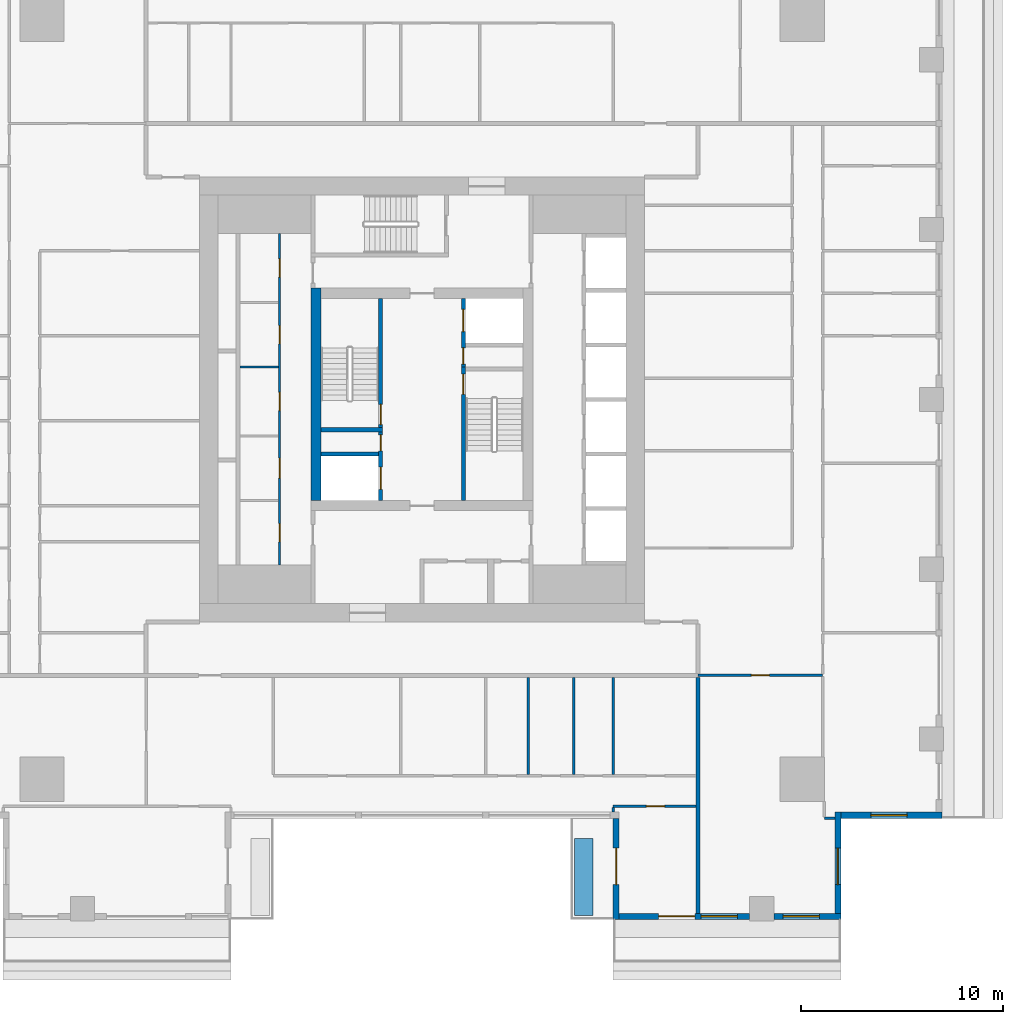
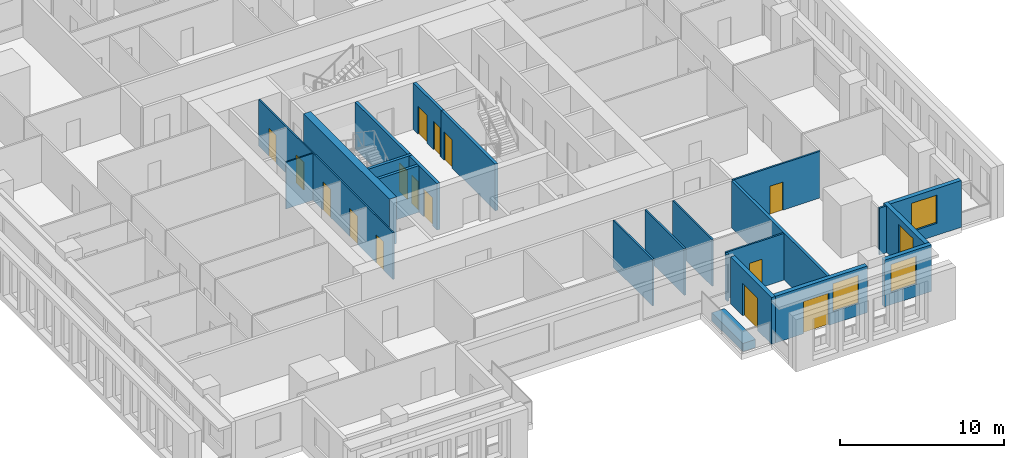
# One storey, part 4 of 14: 23 walls, 15 doors, 4 windows, 19 openings.
"""IFC4 building model written with IfcOpenShell, lengths in metres."""

from ifc_helpers import new_model, si_unit, direction, frame, frame_2d, origin, place, context, subcontext, project, spatial, rectangle, extrude, material, layer, layer_set, type_object, element, fill, save


model = new_model("IFC4")

# Units and contexts
model_context = context("Model", 3, precision=1e-05, world=origin(), true_north=direction((0.0, 1.0)))
body_context = subcontext(model_context, "Body", "Model", "MODEL_VIEW")
ifc_project = project(units=[si_unit("LENGTHUNIT", "METRE"), si_unit("AREAUNIT", "SQUARE_METRE"), si_unit("VOLUMEUNIT", "CUBIC_METRE"), si_unit("PLANEANGLEUNIT", "RADIAN"), si_unit("MASSUNIT", "GRAM", prefix="KILO")], contexts=[model_context])

# Site, building, storey
site_placement = place(None, origin())
site = spatial("IfcSite", under=ifc_project, at=site_placement, CompositionType="ELEMENT")
building_placement = place(site_placement, origin())
building = spatial("IfcBuilding", under=site, at=building_placement, Name="Khepri Terraces", CompositionType="ELEMENT")
storey_placement = place(building_placement, frame((0.0, 0.0, 264.0)))
storey = spatial("IfcBuildingStorey", under=building, at=storey_placement, Name="L63", CompositionType="ELEMENT", Elevation=264.0)

# Wall, opening, door
ifc_material_1 = material(Name="Concrete C40/50", Category="concrete")
ifc_layer_1 = layer(ifc_material_1, 0.199951171875, Name="Concrete C40/50", Category="concrete")
ifc_layer_set_1 = layer_set([ifc_layer_1], Name="Concrete C40/50")
wall_type_1 = type_object("IfcWallType", Name="Core wall 200 C40/50", PredefinedType="SHEAR", material=ifc_layer_set_1)
wall_1_placement = place(storey_placement, frame((2.050048828125, -5.0, 0.0), z_axis=(0.0, 0.0, 1.0), x_axis=(0.0, 1.0, 0.0)))
wall_1 = element("IfcWall", 1, at=wall_1_placement, inside=storey, type_object=wall_type_1, Name="Core wall ST01 L63", PredefinedType="SHEAR", context=body_context, shape_type="SweptSolid", body=[
    extrude(rectangle(XDim=6.60009765625, YDim=0.199951171875, at=frame_2d((3.300048828125, 0.0))), origin(), (0.0, 0.0, 1.0), 3.47998046875),
])
opening_1_placement = place(wall_1_placement, frame((5.25, 0.0, 0.0)))
opening_1 = element("IfcOpeningElement", 2, at=opening_1_placement, cuts=wall_1, Name="Opening L63-C10", PredefinedType="OPENING", context=body_context, shape_type="SweptSolid", body=[
    extrude(rectangle(XDim=1.0, YDim=2.10009765625, at=frame_2d((0.5, 1.050048828125))), frame((0.0, 0.10986328125, 0.0), z_axis=(0.0, -1.0, 0.0), x_axis=(1.0, 0.0, 0.0)), (0.0, 0.0, 1.0), 0.219970703125),
])
ifc_material_2 = material(Name="Painted steel", Category="steel")
door_type_1 = type_object("IfcDoorType", Name="DR-CORE-STAIR-1000", OperationType="NOTDEFINED", PredefinedType="DOOR", material=ifc_material_2)
door_1_placement = place(opening_1_placement, frame((1.0, 0.0, 0.0), z_axis=(0.0, 0.0, 1.0), x_axis=(-1.0, 0.0, 0.0)))
door_1 = element("IfcDoor", 3, at=door_1_placement, inside=storey, type_object=door_type_1, Name="Stair door L63-C10", OperationType="SINGLE_SWING_LEFT", OverallHeight=2.10009765625, OverallWidth=1.0, PredefinedType="DOOR", context=body_context, shape_type="SweptSolid", body=[
    extrude(rectangle(XDim=1.0, YDim=2.10009765625, at=frame_2d((0.5, 1.050048828125))), frame((0.0, 0.02490234375, 0.0), z_axis=(0.0, -1.0, 0.0), x_axis=(1.0, 0.0, 0.0)), (0.0, 0.0, 1.0), 0.050048828125),
])
fill(opening_1, door_1)

# Wall
wall_2_placement = place(storey_placement, frame((-5.0, -1.5, 0.0), z_axis=(0.0, 0.0, 1.0), x_axis=(1.0, 0.0, 0.0)))
element("IfcWall", 4, at=wall_2_placement, inside=storey, type_object=wall_type_1, Name="Core wall ST02 L63", PredefinedType="SHEAR", context=body_context, shape_type="SweptSolid", body=[
    extrude(rectangle(XDim=3.050048828125, YDim=0.199951171875, at=frame_2d((1.52490234375, 0.0))), origin(), (0.0, 0.0, 1.0), 3.47998046875),
])

# Wall, opening, door
wall_3_placement = place(storey_placement, frame((-2.050048828125, -1.39990234375, 0.0), z_axis=(0.0, 0.0, 1.0), x_axis=(0.0, 1.0, 0.0)))
wall_3 = element("IfcWall", 5, at=wall_3_placement, inside=storey, type_object=wall_type_1, Name="Core wall ST03 L63", PredefinedType="SHEAR", context=body_context, shape_type="SweptSolid", body=[
    extrude(rectangle(XDim=6.39990234375, YDim=0.199951171875, at=frame_2d((3.199951171875, 0.0))), origin(), (0.0, 0.0, 1.0), 3.47998046875),
])
opening_2_placement = place(wall_3_placement, frame((0.14990234375, 0.0, 0.0)))
opening_2 = element("IfcOpeningElement", 6, at=opening_2_placement, cuts=wall_3, Name="Opening L63-C09", PredefinedType="OPENING", context=body_context, shape_type="SweptSolid", body=[
    extrude(rectangle(XDim=1.0, YDim=2.10009765625, at=frame_2d((0.5, 1.050048828125))), frame((0.0, 0.10986328125, 0.0), z_axis=(0.0, -1.0, 0.0), x_axis=(1.0, 0.0, 0.0)), (0.0, 0.0, 1.0), 0.219970703125),
])
door_2_placement = place(opening_2_placement, origin())
door_2 = element("IfcDoor", 7, at=door_2_placement, inside=storey, type_object=door_type_1, Name="Stair door L63-C09", OperationType="SINGLE_SWING_LEFT", OverallHeight=2.10009765625, OverallWidth=1.0, PredefinedType="DOOR", context=body_context, shape_type="SweptSolid", body=[
    extrude(rectangle(XDim=1.0, YDim=2.10009765625, at=frame_2d((0.5, 1.050048828125))), frame((0.0, 0.02490234375, 0.0), z_axis=(0.0, -1.0, 0.0), x_axis=(1.0, 0.0, 0.0)), (0.0, 0.0, 1.0), 0.050048828125),
])
fill(opening_2, door_2)

# Wall, openings, doors
wall_4_placement = place(storey_placement, frame((-2.050048828125, -5.0, 0.0), z_axis=(0.0, 0.0, 1.0), x_axis=(0.0, 1.0, 0.0)))
wall_4 = element("IfcWall", 8, at=wall_4_placement, inside=storey, type_object=wall_type_1, Name="Core wall SH05 L63", PredefinedType="SHEAR", context=body_context, shape_type="SweptSolid", body=[
    extrude(rectangle(XDim=3.39990234375, YDim=0.199951171875, at=frame_2d((1.699951171875, 0.0))), origin(), (0.0, 0.0, 1.0), 3.47998046875),
])
opening_3_placement = place(wall_4_placement, frame((0.550048828125, 0.0, 0.0)))
opening_3 = element("IfcOpeningElement", 9, at=opening_3_placement, cuts=wall_4, Name="Opening L63-C08", PredefinedType="OPENING", context=body_context, shape_type="SweptSolid", body=[
    extrude(rectangle(XDim=1.10009765625, YDim=2.10009765625, at=frame_2d((0.550048828125, 1.050048828125))), frame((0.0, 0.10986328125, 0.0), z_axis=(0.0, -1.0, 0.0), x_axis=(1.0, 0.0, 0.0)), (0.0, 0.0, 1.0), 0.219970703125),
])
opening_4_placement = place(wall_4_placement, frame((2.449951171875, 0.0, 0.0)))
opening_4 = element("IfcOpeningElement", 10, at=opening_4_placement, cuts=wall_4, Name="Opening L63-C12", PredefinedType="OPENING", context=body_context, shape_type="SweptSolid", body=[
    extrude(rectangle(XDim=0.800048828125, YDim=2.10009765625, at=frame_2d((0.39990234375, 1.050048828125))), frame((0.0, 0.10986328125, 0.0), z_axis=(0.0, -1.0, 0.0), x_axis=(1.0, 0.0, 0.0)), (0.0, 0.0, 1.0), 0.219970703125),
])
ifc_material_3 = material(Name="Stainless steel 304", Category="steel")
door_type_2 = type_object("IfcDoorType", Name="DR-CORE-FF-LANDING-1100", OperationType="NOTDEFINED", PredefinedType="DOOR", material=ifc_material_3)
door_3_placement = place(opening_3_placement, origin())
door_3 = element("IfcDoor", 11, at=door_3_placement, inside=storey, type_object=door_type_2, Name="Firefighting lift landing door L63-C08", OperationType="SLIDING_TO_LEFT", OverallHeight=2.10009765625, OverallWidth=1.10009765625, PredefinedType="DOOR", context=body_context, shape_type="SweptSolid", body=[
    extrude(rectangle(XDim=1.10009765625, YDim=2.10009765625, at=frame_2d((0.550048828125, 1.050048828125))), frame((0.0, 0.02490234375, 0.0), z_axis=(0.0, -1.0, 0.0), x_axis=(1.0, 0.0, 0.0)), (0.0, 0.0, 1.0), 0.050048828125),
])
fill(opening_3, door_3)
door_type_3 = type_object("IfcDoorType", Name="DR-CORE-RISER-800", OperationType="NOTDEFINED", PredefinedType="DOOR", material=ifc_material_2)
door_4_placement = place(opening_4_placement, origin())
door_4 = element("IfcDoor", 12, at=door_4_placement, inside=storey, type_object=door_type_3, Name="Riser door L63-C12", OperationType="SINGLE_SWING_RIGHT", OverallHeight=2.10009765625, OverallWidth=0.800048828125, PredefinedType="DOOR", context=body_context, shape_type="SweptSolid", body=[
    extrude(rectangle(XDim=0.800048828125, YDim=2.10009765625, at=frame_2d((0.39990234375, 1.050048828125))), frame((0.0, 0.02490234375, 0.0), z_axis=(0.0, -1.0, 0.0), x_axis=(1.0, 0.0, 0.0)), (0.0, 0.0, 1.0), 0.050048828125),
])
fill(opening_4, door_4)

# Wall
wall_5_placement = place(storey_placement, frame((-5.0, -2.699951171875, 0.0), z_axis=(0.0, 0.0, 1.0), x_axis=(1.0, 0.0, 0.0)))
element("IfcWall", 13, at=wall_5_placement, inside=storey, type_object=wall_type_1, Name="Core wall SH07 L63", PredefinedType="SHEAR", context=body_context, shape_type="SweptSolid", body=[
    extrude(rectangle(XDim=2.85009765625, YDim=0.199951171875, at=frame_2d((1.425048828125, 0.0))), origin(), (0.0, 0.0, 1.0), 3.47998046875),
])

# Wall, openings, doors
wall_6_placement = place(storey_placement, frame((2.050048828125, 1.60009765625, 0.0), z_axis=(0.0, 0.0, 1.0), x_axis=(0.0, 1.0, 0.0)))
wall_6 = element("IfcWall", 14, at=wall_6_placement, inside=storey, type_object=wall_type_1, Name="Core wall SH10 L63", PredefinedType="SHEAR", context=body_context, shape_type="SweptSolid", body=[
    extrude(rectangle(XDim=3.39990234375, YDim=0.199951171875, at=frame_2d((1.699951171875, 0.0))), origin(), (0.0, 0.0, 1.0), 3.47998046875),
])
opening_5_placement = place(wall_6_placement, frame((1.75, 0.0, 0.0)))
opening_5 = element("IfcOpeningElement", 15, at=opening_5_placement, cuts=wall_6, Name="Opening L63-C07", PredefinedType="OPENING", context=body_context, shape_type="SweptSolid", body=[
    extrude(rectangle(XDim=1.10009765625, YDim=2.10009765625, at=frame_2d((0.550048828125, 1.050048828125))), frame((0.0, 0.10986328125, 0.0), z_axis=(0.0, -1.0, 0.0), x_axis=(1.0, 0.0, 0.0)), (0.0, 0.0, 1.0), 0.219970703125),
])
opening_6_placement = place(wall_6_placement, frame((0.14990234375, 0.0, 0.0)))
opening_6 = element("IfcOpeningElement", 16, at=opening_6_placement, cuts=wall_6, Name="Opening L63-C11", PredefinedType="OPENING", context=body_context, shape_type="SweptSolid", body=[
    extrude(rectangle(XDim=0.800048828125, YDim=2.10009765625, at=frame_2d((0.39990234375, 1.050048828125))), frame((0.0, 0.10986328125, 0.0), z_axis=(0.0, -1.0, 0.0), x_axis=(1.0, 0.0, 0.0)), (0.0, 0.0, 1.0), 0.219970703125),
])
door_5_placement = place(opening_5_placement, origin())
door_5 = element("IfcDoor", 17, at=door_5_placement, inside=storey, type_object=door_type_2, Name="Firefighting lift landing door L63-C07", OperationType="SLIDING_TO_LEFT", OverallHeight=2.10009765625, OverallWidth=1.10009765625, PredefinedType="DOOR", context=body_context, shape_type="SweptSolid", body=[
    extrude(rectangle(XDim=1.10009765625, YDim=2.10009765625, at=frame_2d((0.550048828125, 1.050048828125))), frame((0.0, 0.02490234375, 0.0), z_axis=(0.0, -1.0, 0.0), x_axis=(1.0, 0.0, 0.0)), (0.0, 0.0, 1.0), 0.050048828125),
])
fill(opening_5, door_5)
door_6_placement = place(opening_6_placement, frame((0.800048828125, 0.0, 0.0), z_axis=(0.0, 0.0, 1.0), x_axis=(-1.0, 0.0, 0.0)))
door_6 = element("IfcDoor", 18, at=door_6_placement, inside=storey, type_object=door_type_3, Name="Riser door L63-C11", OperationType="SINGLE_SWING_RIGHT", OverallHeight=2.10009765625, OverallWidth=0.800048828125, PredefinedType="DOOR", context=body_context, shape_type="SweptSolid", body=[
    extrude(rectangle(XDim=0.800048828125, YDim=2.10009765625, at=frame_2d((0.39990234375, 1.050048828125))), frame((0.0, 0.02490234375, 0.0), z_axis=(0.0, -1.0, 0.0), x_axis=(1.0, 0.0, 0.0)), (0.0, 0.0, 1.0), 0.050048828125),
])
fill(opening_6, door_6)

# Wall
ifc_layer_2 = layer(ifc_material_1, 0.5, Name="Concrete C40/50", Category="concrete")
ifc_layer_set_2 = layer_set([ifc_layer_2], Name="Concrete C40/50")
wall_type_2 = type_object("IfcWallType", Name="Core wall 500 C40/50", PredefinedType="SHEAR", material=ifc_layer_set_2)
wall_7_placement = place(storey_placement, frame((-5.25, -5.0, 0.0), z_axis=(0.0, 0.0, 1.0), x_axis=(0.0, 1.0, 0.0)))
element("IfcWall", 19, at=wall_7_placement, inside=storey, type_object=wall_type_2, Name="Core wall BX02 L63", PredefinedType="SHEAR", context=body_context, shape_type="SweptSolid", body=[
    extrude(rectangle(XDim=10.5, YDim=0.5, at=frame_2d((5.25, 0.0))), origin(), (0.0, 0.0, 1.0), 3.47998046875),
])

# Wall, openings, doors
ifc_material_4 = material(Name="Fire-rated gypsum board partition")
ifc_layer_3 = layer(ifc_material_4, 0.10009765625, Name="Fire-rated gypsum board partition")
ifc_layer_set_3 = layer_set([ifc_layer_3], Name="Fire-rated gypsum board partition")
wall_type_3 = type_object("IfcWallType", Name="WL-CORE-PART-100", PredefinedType="PARTITIONING", material=ifc_layer_set_3)
wall_8_placement = place(storey_placement, frame((-7.050048828125, -8.199951171875, 0.0), z_axis=(0.0, 0.0, 1.0), x_axis=(0.0, 1.0, 0.0)))
wall_8 = element("IfcWall", 20, at=wall_8_placement, inside=storey, type_object=wall_type_3, Name="Core partition PT05 L63", PredefinedType="PARTITIONING", context=body_context, shape_type="SweptSolid", body=[
    extrude(rectangle(XDim=16.39990234375, YDim=0.10009765625, at=frame_2d((8.199951171875, 0.0))), origin(), (0.0, 0.0, 1.0), 3.47998046875),
])
opening_7_placement = place(wall_8_placement, frame((1.14990234375, 0.0, 0.0)))
opening_7 = element("IfcOpeningElement", 21, at=opening_7_placement, cuts=wall_8, Name="Opening L63-C24", PredefinedType="OPENING", context=body_context, shape_type="SweptSolid", body=[
    extrude(rectangle(XDim=0.89990234375, YDim=2.10009765625, at=frame_2d((0.449951171875, 1.050048828125))), frame((0.0, 0.06005859375, 0.0), z_axis=(0.0, -1.0, 0.0), x_axis=(1.0, 0.0, 0.0)), (0.0, 0.0, 1.0), 0.1201171875),
])
opening_8_placement = place(wall_8_placement, frame((4.300048828125, 0.0, 0.0)))
opening_8 = element("IfcOpeningElement", 22, at=opening_8_placement, cuts=wall_8, Name="Opening L63-C25", PredefinedType="OPENING", context=body_context, shape_type="SweptSolid", body=[
    extrude(rectangle(XDim=1.0, YDim=2.10009765625, at=frame_2d((0.5, 1.050048828125))), frame((0.0, 0.06005859375, 0.0), z_axis=(0.0, -1.0, 0.0), x_axis=(1.0, 0.0, 0.0)), (0.0, 0.0, 1.0), 0.1201171875),
])
opening_9_placement = place(wall_8_placement, frame((7.64990234375, 0.0, 0.0)))
opening_9 = element("IfcOpeningElement", 23, at=opening_9_placement, cuts=wall_8, Name="Opening L63-C26", PredefinedType="OPENING", context=body_context, shape_type="SweptSolid", body=[
    extrude(rectangle(XDim=0.89990234375, YDim=2.10009765625, at=frame_2d((0.449951171875, 1.050048828125))), frame((0.0, 0.06005859375, 0.0), z_axis=(0.0, -1.0, 0.0), x_axis=(1.0, 0.0, 0.0)), (0.0, 0.0, 1.0), 0.1201171875),
])
opening_10_placement = place(wall_8_placement, frame((10.949951171875, 0.0, 0.0)))
opening_10 = element("IfcOpeningElement", 24, at=opening_10_placement, cuts=wall_8, Name="Opening L63-C27", PredefinedType="OPENING", context=body_context, shape_type="SweptSolid", body=[
    extrude(rectangle(XDim=0.89990234375, YDim=2.10009765625, at=frame_2d((0.449951171875, 1.050048828125))), frame((0.0, 0.06005859375, 0.0), z_axis=(0.0, -1.0, 0.0), x_axis=(1.0, 0.0, 0.0)), (0.0, 0.0, 1.0), 0.1201171875),
])
opening_11_placement = place(wall_8_placement, frame((14.25, 0.0, 0.0)))
opening_11 = element("IfcOpeningElement", 25, at=opening_11_placement, cuts=wall_8, Name="Opening L63-C28", PredefinedType="OPENING", context=body_context, shape_type="SweptSolid", body=[
    extrude(rectangle(XDim=0.89990234375, YDim=2.10009765625, at=frame_2d((0.449951171875, 1.050048828125))), frame((0.0, 0.06005859375, 0.0), z_axis=(0.0, -1.0, 0.0), x_axis=(1.0, 0.0, 0.0)), (0.0, 0.0, 1.0), 0.1201171875),
])
door_type_4 = type_object("IfcDoorType", Name="DR-CORE-SERVICE-900", OperationType="NOTDEFINED", PredefinedType="DOOR", material=ifc_material_2)
door_7_placement = place(opening_7_placement, origin())
door_7 = element("IfcDoor", 26, at=door_7_placement, inside=storey, type_object=door_type_4, Name="Service room door L63-C24", OperationType="SINGLE_SWING_LEFT", OverallHeight=2.10009765625, OverallWidth=0.89990234375, PredefinedType="DOOR", context=body_context, shape_type="SweptSolid", body=[
    extrude(rectangle(XDim=0.89990234375, YDim=2.10009765625, at=frame_2d((0.449951171875, 1.050048828125))), frame((0.0, 0.02490234375, 0.0), z_axis=(0.0, -1.0, 0.0), x_axis=(1.0, 0.0, 0.0)), (0.0, 0.0, 1.0), 0.050048828125),
])
fill(opening_7, door_7)
door_8_placement = place(opening_9_placement, origin())
door_8 = element("IfcDoor", 27, at=door_8_placement, inside=storey, type_object=door_type_4, Name="Service room door L63-C26", OperationType="SINGLE_SWING_LEFT", OverallHeight=2.10009765625, OverallWidth=0.89990234375, PredefinedType="DOOR", context=body_context, shape_type="SweptSolid", body=[
    extrude(rectangle(XDim=0.89990234375, YDim=2.10009765625, at=frame_2d((0.449951171875, 1.050048828125))), frame((0.0, 0.02490234375, 0.0), z_axis=(0.0, -1.0, 0.0), x_axis=(1.0, 0.0, 0.0)), (0.0, 0.0, 1.0), 0.050048828125),
])
fill(opening_9, door_8)
door_9_placement = place(opening_10_placement, origin())
door_9 = element("IfcDoor", 28, at=door_9_placement, inside=storey, type_object=door_type_4, Name="Service room door L63-C27", OperationType="SINGLE_SWING_RIGHT", OverallHeight=2.10009765625, OverallWidth=0.89990234375, PredefinedType="DOOR", context=body_context, shape_type="SweptSolid", body=[
    extrude(rectangle(XDim=0.89990234375, YDim=2.10009765625, at=frame_2d((0.449951171875, 1.050048828125))), frame((0.0, 0.02490234375, 0.0), z_axis=(0.0, -1.0, 0.0), x_axis=(1.0, 0.0, 0.0)), (0.0, 0.0, 1.0), 0.050048828125),
])
fill(opening_10, door_9)
door_10_placement = place(opening_11_placement, origin())
door_10 = element("IfcDoor", 29, at=door_10_placement, inside=storey, type_object=door_type_4, Name="Service room door L63-C28", OperationType="SINGLE_SWING_RIGHT", OverallHeight=2.10009765625, OverallWidth=0.89990234375, PredefinedType="DOOR", context=body_context, shape_type="SweptSolid", body=[
    extrude(rectangle(XDim=0.89990234375, YDim=2.10009765625, at=frame_2d((0.449951171875, 1.050048828125))), frame((0.0, 0.02490234375, 0.0), z_axis=(0.0, -1.0, 0.0), x_axis=(1.0, 0.0, 0.0)), (0.0, 0.0, 1.0), 0.050048828125),
])
fill(opening_11, door_10)
ifc_material_5 = material(Name="Timber veneer", Category="wood")
door_type_5 = type_object("IfcDoorType", Name="DR-CORE-WC-1000", OperationType="NOTDEFINED", PredefinedType="DOOR", material=ifc_material_5)
door_11_placement = place(opening_8_placement, origin())
door_11 = element("IfcDoor", 30, at=door_11_placement, inside=storey, type_object=door_type_5, Name="WC door L63-C25", OperationType="SINGLE_SWING_LEFT", OverallHeight=2.10009765625, OverallWidth=1.0, PredefinedType="DOOR", context=body_context, shape_type="SweptSolid", body=[
    extrude(rectangle(XDim=1.0, YDim=2.10009765625, at=frame_2d((0.5, 1.050048828125))), frame((0.0, 0.02490234375, 0.0), z_axis=(0.0, -1.0, 0.0), x_axis=(1.0, 0.0, 0.0)), (0.0, 0.0, 1.0), 0.050048828125),
])
fill(opening_8, door_11)

# Walls
wall_9_placement = place(storey_placement, frame((-9.0, 1.60009765625, 0.0), z_axis=(0.0, 0.0, 1.0), x_axis=(1.0, 0.0, 0.0)))
element("IfcWall", 31, at=wall_9_placement, inside=storey, type_object=wall_type_3, Name="Core partition PT10 L63", PredefinedType="PARTITIONING", context=body_context, shape_type="SweptSolid", body=[
    extrude(rectangle(XDim=1.89990234375, YDim=0.10009765625, at=frame_2d((0.949951171875, 0.0))), origin(), (0.0, 0.0, 1.0), 3.47998046875),
])
ifc_material_6 = material(Name="Fire-rated gypsum plasterboard partition, mineral wool")
ifc_layer_4 = layer(ifc_material_6, 0.199951171875, Name="Fire-rated gypsum plasterboard partition, mineral wool")
ifc_layer_set_4 = layer_set([ifc_layer_4], Name="Fire-rated gypsum plasterboard partition, mineral wool")
wall_type_4 = type_object("IfcWallType", Name="WL-CORR-200", PredefinedType="PARTITIONING", material=ifc_layer_set_4)
wall_10_placement = place(storey_placement, frame((13.64990234375, -25.419921875, 0.0), z_axis=(0.0, 0.0, 1.0), x_axis=(0.0, 1.0, 0.0)))
element("IfcWall", 32, at=wall_10_placement, inside=storey, type_object=wall_type_4, Name="Partition P-001 L63", PredefinedType="PARTITIONING", context=body_context, shape_type="SweptSolid", body=[
    extrude(rectangle(XDim=11.669921875, YDim=0.199951171875, at=frame_2d((5.8349609375, 0.0))), origin(), (0.0, 0.0, 1.0), 3.47998046875),
])

# Wall, opening, window
ifc_material_7 = material(Name="Precast concrete C50/60 warm stone", Category="masonry")
ifc_layer_5 = layer(ifc_material_7, 0.300048828125, Name="Precast concrete C50/60 warm stone", Category="masonry")
ifc_layer_set_5 = layer_set([ifc_layer_5], Name="Precast concrete C50/60 warm stone")
wall_type_5 = type_object("IfcWallType", Name="WL-EXT-PRECAST-300", PredefinedType="STANDARD", material=ifc_layer_set_5)
wall_11_placement = place(storey_placement, frame((20.719970703125, -20.570068359375, 0.0), z_axis=(0.0, 0.0, 1.0), x_axis=(1.0, 0.0, 0.0)))
wall_11 = element("IfcWall", 33, at=wall_11_placement, inside=storey, type_object=wall_type_5, Name="External wall L63 S", PredefinedType="STANDARD", context=body_context, shape_type="SweptSolid", body=[
    extrude(rectangle(XDim=5.0, YDim=0.300048828125, at=frame_2d((2.5, 0.0))), origin(), (0.0, 0.0, 1.0), 3.47998046875),
])
opening_12_placement = place(wall_11_placement, frame((1.47998046875, 0.0, 0.89990234375)))
opening_12 = element("IfcOpeningElement", 34, at=opening_12_placement, cuts=wall_11, Name="Opening W1", PredefinedType="OPENING", context=body_context, shape_type="SweptSolid", body=[
    extrude(rectangle(XDim=1.800048828125, YDim=2.10009765625, at=frame_2d((0.89990234375, 1.050048828125))), frame((0.0, 0.16015625, 0.0), z_axis=(0.0, -1.0, 0.0), x_axis=(1.0, 0.0, 0.0)), (0.0, 0.0, 1.0), 0.320068359375),
])
ifc_material_8 = material(Name="Clear glass", Category="glass")
window_type = type_object("IfcWindowType", Name="WIN-RES-1800x2100", PartitioningType="SINGLE_PANEL", PredefinedType="WINDOW", material=ifc_material_8)
window_1_placement = place(opening_12_placement, origin())
window_1 = element("IfcWindow", 35, at=window_1_placement, inside=storey, type_object=window_type, Name="Window L63 S", OverallHeight=2.10009765625, OverallWidth=1.800048828125, PartitioningType="SINGLE_PANEL", PredefinedType="WINDOW", context=body_context, shape_type="SweptSolid", body=[
    extrude(rectangle(XDim=1.800048828125, YDim=2.10009765625, at=frame_2d((0.89990234375, 1.050048828125))), frame((0.0, 0.030029296875, 0.0), z_axis=(0.0, -1.0, 0.0), x_axis=(1.0, 0.0, 0.0)), (0.0, 0.0, 1.0), 0.06005859375),
])
fill(opening_12, window_1)

# Wall, opening, door
wall_12_placement = place(storey_placement, frame((9.60009765625, -20.719970703125, 0.0), z_axis=(0.0, 0.0, 1.0), x_axis=(0.0, -1.0, 0.0)))
wall_12 = element("IfcWall", 36, at=wall_12_placement, inside=storey, type_object=wall_type_5, Name="External wall L63 W", PredefinedType="STANDARD", context=body_context, shape_type="SweptSolid", body=[
    extrude(rectangle(XDim=5.0, YDim=0.300048828125, at=frame_2d((2.5, 0.0))), origin(), (0.0, 0.0, 1.0), 3.47998046875),
])
opening_13_placement = place(wall_12_placement, frame((1.47998046875, 0.0, 0.0)))
opening_13 = element("IfcOpeningElement", 37, at=opening_13_placement, cuts=wall_12, Name="Opening ED-L63-18", PredefinedType="OPENING", context=body_context, shape_type="SweptSolid", body=[
    extrude(rectangle(XDim=1.800048828125, YDim=2.39990234375, at=frame_2d((0.89990234375, 1.199951171875))), frame((0.0, 0.16015625, 0.0), z_axis=(0.0, -1.0, 0.0), x_axis=(1.0, 0.0, 0.0)), (0.0, 0.0, 1.0), 0.320068359375),
])
ifc_material_9 = material(Name="Anodised aluminium bronze glazed door", Category="aluminium")
door_type_6 = type_object("IfcDoorType", Name="DR-BAL-SLIDE-1800x2400", OperationType="NOTDEFINED", PredefinedType="DOOR", material=ifc_material_9)
door_12_placement = place(opening_13_placement, origin())
door_12 = element("IfcDoor", 38, at=door_12_placement, inside=storey, type_object=door_type_6, Name="Balcony door L63 W", OperationType="SLIDING_TO_RIGHT", OverallHeight=2.39990234375, OverallWidth=1.800048828125, PredefinedType="DOOR", context=body_context, shape_type="SweptSolid", body=[
    extrude(rectangle(XDim=1.800048828125, YDim=2.39990234375, at=frame_2d((0.89990234375, 1.199951171875))), frame((0.0, 0.02490234375, 0.0), z_axis=(0.0, -1.0, 0.0), x_axis=(1.0, 0.0, 0.0)), (0.0, 0.0, 1.0), 0.050048828125),
])
fill(opening_13, door_12)

# Wall, openings, door, window
wall_13_placement = place(storey_placement, frame((9.75, -25.570068359375, 0.0), z_axis=(0.0, 0.0, 1.0), x_axis=(1.0, 0.0, 0.0)))
wall_13 = element("IfcWall", 39, at=wall_13_placement, inside=storey, type_object=wall_type_5, Name="External wall L63 S", PredefinedType="STANDARD", context=body_context, shape_type="SweptSolid", body=[
    extrude(rectangle(XDim=6.449951171875, YDim=0.300048828125, at=frame_2d((3.22509765625, 0.0))), origin(), (0.0, 0.0, 1.0), 3.47998046875),
])
opening_14_placement = place(wall_13_placement, frame((1.949951171875, 0.0, 0.0)))
opening_14 = element("IfcOpeningElement", 40, at=opening_14_placement, cuts=wall_13, Name="Opening ED-L63-19", PredefinedType="OPENING", context=body_context, shape_type="SweptSolid", body=[
    extrude(rectangle(XDim=1.800048828125, YDim=2.39990234375, at=frame_2d((0.89990234375, 1.199951171875))), frame((0.0, 0.16015625, 0.0), z_axis=(0.0, -1.0, 0.0), x_axis=(1.0, 0.0, 0.0)), (0.0, 0.0, 1.0), 0.320068359375),
])
opening_15_placement = place(wall_13_placement, frame((4.050048828125, 0.0, 0.89990234375)))
opening_15 = element("IfcOpeningElement", 41, at=opening_15_placement, cuts=wall_13, Name="Opening W1", PredefinedType="OPENING", context=body_context, shape_type="SweptSolid", body=[
    extrude(rectangle(XDim=1.800048828125, YDim=2.10009765625, at=frame_2d((0.89990234375, 1.050048828125))), frame((0.0, 0.16015625, 0.0), z_axis=(0.0, -1.0, 0.0), x_axis=(1.0, 0.0, 0.0)), (0.0, 0.0, 1.0), 0.320068359375),
])
door_13_placement = place(opening_14_placement, origin())
door_13 = element("IfcDoor", 42, at=door_13_placement, inside=storey, type_object=door_type_6, Name="Balcony door L63 S", OperationType="SLIDING_TO_RIGHT", OverallHeight=2.39990234375, OverallWidth=1.800048828125, PredefinedType="DOOR", context=body_context, shape_type="SweptSolid", body=[
    extrude(rectangle(XDim=1.800048828125, YDim=2.39990234375, at=frame_2d((0.89990234375, 1.199951171875))), frame((0.0, 0.02490234375, 0.0), z_axis=(0.0, -1.0, 0.0), x_axis=(1.0, 0.0, 0.0)), (0.0, 0.0, 1.0), 0.050048828125),
])
fill(opening_14, door_13)
window_2_placement = place(opening_15_placement, origin())
window_2 = element("IfcWindow", 43, at=window_2_placement, inside=storey, type_object=window_type, Name="Window L63 S", OverallHeight=2.10009765625, OverallWidth=1.800048828125, PartitioningType="SINGLE_PANEL", PredefinedType="WINDOW", context=body_context, shape_type="SweptSolid", body=[
    extrude(rectangle(XDim=1.800048828125, YDim=2.10009765625, at=frame_2d((0.89990234375, 1.050048828125))), frame((0.0, 0.030029296875, 0.0), z_axis=(0.0, -1.0, 0.0), x_axis=(1.0, 0.0, 0.0)), (0.0, 0.0, 1.0), 0.06005859375),
])
fill(opening_15, window_2)

# Wall, opening, window
wall_14_placement = place(storey_placement, frame((17.39990234375, -25.570068359375, 0.0), z_axis=(0.0, 0.0, 1.0), x_axis=(1.0, 0.0, 0.0)))
wall_14 = element("IfcWall", 44, at=wall_14_placement, inside=storey, type_object=wall_type_5, Name="External wall L63 S", PredefinedType="STANDARD", context=body_context, shape_type="SweptSolid", body=[
    extrude(rectangle(XDim=3.320068359375, YDim=0.300048828125, at=frame_2d((1.66015625, 0.0))), origin(), (0.0, 0.0, 1.0), 3.47998046875),
])
opening_16_placement = place(wall_14_placement, frame((0.45947265625, 0.0, 0.89990234375)))
opening_16 = element("IfcOpeningElement", 45, at=opening_16_placement, cuts=wall_14, Name="Opening W1", PredefinedType="OPENING", context=body_context, shape_type="SweptSolid", body=[
    extrude(rectangle(XDim=1.800048828125, YDim=2.10009765625, at=frame_2d((0.89990234375, 1.050048828125))), frame((0.0, 0.16015625, 0.0), z_axis=(0.0, -1.0, 0.0), x_axis=(1.0, 0.0, 0.0)), (0.0, 0.0, 1.0), 0.320068359375),
])
window_3_placement = place(opening_16_placement, origin())
window_3 = element("IfcWindow", 46, at=window_3_placement, inside=storey, type_object=window_type, Name="Window L63 S", OverallHeight=2.10009765625, OverallWidth=1.800048828125, PartitioningType="SINGLE_PANEL", PredefinedType="WINDOW", context=body_context, shape_type="SweptSolid", body=[
    extrude(rectangle(XDim=1.800048828125, YDim=2.10009765625, at=frame_2d((0.89990234375, 1.050048828125))), frame((0.0, 0.030029296875, 0.0), z_axis=(0.0, -1.0, 0.0), x_axis=(1.0, 0.0, 0.0)), (0.0, 0.0, 1.0), 0.06005859375),
])
fill(opening_16, window_3)

wall_15_placement = place(storey_placement, frame((20.570068359375, -25.419921875, 0.0), z_axis=(0.0, 0.0, 1.0), x_axis=(0.0, 1.0, 0.0)))
wall_15 = element("IfcWall", 47, at=wall_15_placement, inside=storey, type_object=wall_type_5, Name="External wall L63 E", PredefinedType="STANDARD", context=body_context, shape_type="SweptSolid", body=[
    extrude(rectangle(XDim=5.0, YDim=0.300048828125, at=frame_2d((2.5, 0.0))), origin(), (0.0, 0.0, 1.0), 3.47998046875),
])
opening_17_placement = place(wall_15_placement, frame((1.419921875, 0.0, 0.89990234375)))
opening_17 = element("IfcOpeningElement", 48, at=opening_17_placement, cuts=wall_15, Name="Opening W1", PredefinedType="OPENING", context=body_context, shape_type="SweptSolid", body=[
    extrude(rectangle(XDim=1.800048828125, YDim=2.10009765625, at=frame_2d((0.89990234375, 1.050048828125))), frame((0.0, 0.16015625, 0.0), z_axis=(0.0, -1.0, 0.0), x_axis=(1.0, 0.0, 0.0)), (0.0, 0.0, 1.0), 0.320068359375),
])
window_4_placement = place(opening_17_placement, origin())
window_4 = element("IfcWindow", 49, at=window_4_placement, inside=storey, type_object=window_type, Name="Window L63 E", OverallHeight=2.10009765625, OverallWidth=1.800048828125, PartitioningType="SINGLE_PANEL", PredefinedType="WINDOW", context=body_context, shape_type="SweptSolid", body=[
    extrude(rectangle(XDim=1.800048828125, YDim=2.10009765625, at=frame_2d((0.89990234375, 1.050048828125))), frame((0.0, 0.030029296875, 0.0), z_axis=(0.0, -1.0, 0.0), x_axis=(1.0, 0.0, 0.0)), (0.0, 0.0, 1.0), 0.06005859375),
])
fill(opening_17, window_4)

# Walls
ifc_material_10 = material(Name="Gypsum plasterboard partition")
ifc_layer_6 = layer(ifc_material_10, 0.1201171875, Name="Gypsum plasterboard partition")
ifc_layer_set_6 = layer_set([ifc_layer_6], Name="Gypsum plasterboard partition")
wall_type_6 = type_object("IfcWallType", Name="WL-PART-120", PredefinedType="PARTITIONING", material=ifc_layer_set_6)
wall_16_placement = place(storey_placement, frame((9.449951171875, -20.419921875, 0.0), z_axis=(0.0, 0.0, 1.0), x_axis=(0.0, 1.0, 0.0)))
element("IfcWall", 50, at=wall_16_placement, inside=storey, type_object=wall_type_6, Name="Partition P-004 L63", PredefinedType="PARTITIONING", context=body_context, shape_type="SweptSolid", body=[
    extrude(rectangle(XDim=0.239990234375, YDim=0.1201171875, at=frame_2d((0.1201171875, 0.0))), origin(), (0.0, 0.0, 1.0), 3.47998046875),
])
wall_17_placement = place(storey_placement, frame((19.90087890625, -20.718994140625, 0.0), z_axis=(0.0, 0.0, 1.0), x_axis=(1.0, 0.0, 0.0)))
element("IfcWall", 51, at=wall_17_placement, inside=storey, type_object=wall_type_6, Name="Partition P-005 L63", PredefinedType="PARTITIONING", context=body_context, shape_type="SweptSolid", body=[
    extrude(rectangle(XDim=0.52001953125, YDim=0.1201171875, at=frame_2d((0.260009765625, 0.0))), origin(), (0.0, 0.0, 1.0), 3.47998046875),
])

# Wall, opening, door
wall_18_placement = place(storey_placement, frame((9.449951171875, -20.1201171875, 0.0), z_axis=(0.0, 0.0, 1.0), x_axis=(1.0, 0.0, 0.0)))
wall_18 = element("IfcWall", 52, at=wall_18_placement, inside=storey, type_object=wall_type_6, Name="Partition P-008 L63", PredefinedType="PARTITIONING", context=body_context, shape_type="SweptSolid", body=[
    extrude(rectangle(XDim=4.10009765625, YDim=0.1201171875, at=frame_2d((2.050048828125, 0.0))), origin(), (0.0, 0.0, 1.0), 3.47998046875),
])
opening_18_placement = place(wall_18_placement, frame((1.64990234375, 0.0, 0.0)))
opening_18 = element("IfcOpeningElement", 53, at=opening_18_placement, cuts=wall_18, Name="Opening D3", PredefinedType="OPENING", context=body_context, shape_type="SweptSolid", body=[
    extrude(rectangle(XDim=0.89990234375, YDim=2.10009765625, at=frame_2d((0.449951171875, 1.050048828125))), frame((0.0, 0.070068359375, 0.0), z_axis=(0.0, -1.0, 0.0), x_axis=(1.0, 0.0, 0.0)), (0.0, 0.0, 1.0), 0.14013671875),
])
ifc_material_11 = material(Name="Timber door leaf", Category="wood")
door_type_7 = type_object("IfcDoorType", Name="DR-INT-900", OperationType="NOTDEFINED", PredefinedType="DOOR", material=ifc_material_11)
door_14_placement = place(opening_18_placement, frame((0.89990234375, 0.0, 0.0), z_axis=(0.0, 0.0, 1.0), x_axis=(-1.0, 0.0, 0.0)))
door_14 = element("IfcDoor", 54, at=door_14_placement, inside=storey, type_object=door_type_7, Name="Door Home Gym", OperationType="SINGLE_SWING_LEFT", OverallHeight=2.10009765625, OverallWidth=0.89990234375, PredefinedType="DOOR", context=body_context, shape_type="SweptSolid", body=[
    extrude(rectangle(XDim=0.89990234375, YDim=2.10009765625, at=frame_2d((0.449951171875, 1.050048828125))), frame((0.0, 0.02490234375, 0.0), z_axis=(0.0, -1.0, 0.0), x_axis=(1.0, 0.0, 0.0)), (0.0, 0.0, 1.0), 0.050048828125),
])
fill(opening_18, door_14)

# Walls
for number, where, z_axis, x_axis, name in (
    (55, (5.25, -18.56005859375, 0.0), (0.0, 0.0, 1.0), (0.0, 1.0, 0.0), "Partition P-014 L63"),
    (56, (7.5, -18.56005859375, 0.0), (0.0, 0.0, 1.0), (0.0, 1.0, 0.0), "Partition P-015 L63"),
    (57, (9.449951171875, -18.56005859375, 0.0), (0.0, 0.0, 1.0), (0.0, 1.0, 0.0), "Partition P-016 L63"),
):
    element("IfcWall", number, at=place(storey_placement, frame(where, z_axis=z_axis, x_axis=x_axis)), inside=storey, type_object=wall_type_6, Name=name, PredefinedType="PARTITIONING", context=body_context, shape_type="SweptSolid", body=[
        extrude(rectangle(XDim=4.81005859375, YDim=0.1201171875, at=frame_2d((2.405029296875, 0.0))), origin(), (0.0, 0.0, 1.0), 3.47998046875),
    ])

# Wall, opening, door
wall_19_placement = place(storey_placement, frame((13.64990234375, -13.64990234375, 0.0), z_axis=(0.0, 0.0, 1.0), x_axis=(1.0, 0.0, 0.0)))
wall_19 = element("IfcWall", 58, at=wall_19_placement, inside=storey, type_object=wall_type_6, Name="Partition P-019 L63", PredefinedType="PARTITIONING", context=body_context, shape_type="SweptSolid", body=[
    extrude(rectangle(XDim=6.170166015625, YDim=0.1201171875, at=frame_2d((3.0849609375, 0.0))), origin(), (0.0, 0.0, 1.0), 3.47998046875),
])
opening_19_placement = place(wall_19_placement, frame((2.635009765625, 0.0, 0.0)))
opening_19 = element("IfcOpeningElement", 59, at=opening_19_placement, cuts=wall_19, Name="Opening D3", PredefinedType="OPENING", context=body_context, shape_type="SweptSolid", body=[
    extrude(rectangle(XDim=0.89990234375, YDim=2.10009765625, at=frame_2d((0.449951171875, 1.050048828125))), frame((0.0, 0.070068359375, 0.0), z_axis=(0.0, -1.0, 0.0), x_axis=(1.0, 0.0, 0.0)), (0.0, 0.0, 1.0), 0.14013671875),
])
door_15_placement = place(opening_19_placement, frame((0.89990234375, 0.0, 0.0), z_axis=(0.0, 0.0, 1.0), x_axis=(-1.0, 0.0, 0.0)))
door_15 = element("IfcDoor", 60, at=door_15_placement, inside=storey, type_object=door_type_7, Name="Door Library", OperationType="SINGLE_SWING_RIGHT", OverallHeight=2.10009765625, OverallWidth=0.89990234375, PredefinedType="DOOR", context=body_context, shape_type="SweptSolid", body=[
    extrude(rectangle(XDim=0.89990234375, YDim=2.10009765625, at=frame_2d((0.449951171875, 1.050048828125))), frame((0.0, 0.02490234375, 0.0), z_axis=(0.0, -1.0, 0.0), x_axis=(1.0, 0.0, 0.0)), (0.0, 0.0, 1.0), 0.050048828125),
])
fill(opening_19, door_15)

# Wall
ifc_layer_7 = layer(ifc_material_7, 0.89990234375, Name="Precast concrete C50/60 warm stone", Category="masonry")
ifc_layer_set_7 = layer_set([ifc_layer_7], Name="Precast concrete C50/60 warm stone")
wall_type_7 = type_object("IfcWallType", Name="WL-PLANTER-900", PredefinedType="MOVABLE", material=ifc_layer_set_7)
wall_20_placement = place(storey_placement, frame((8.0, -25.52001953125, 0.0), z_axis=(0.0, 0.0, 1.0), x_axis=(0.0, 1.0, 0.0)))
element("IfcWall", 61, at=wall_20_placement, inside=storey, type_object=wall_type_7, Name="Planter L63", PredefinedType="MOVABLE", context=body_context, shape_type="SweptSolid", body=[
    extrude(rectangle(XDim=3.800048828125, YDim=0.89990234375, at=frame_2d((1.89990234375, 0.0))), origin(), (0.0, 0.0, 1.0), 0.60009765625),
])

save(model, "model.ifc")
